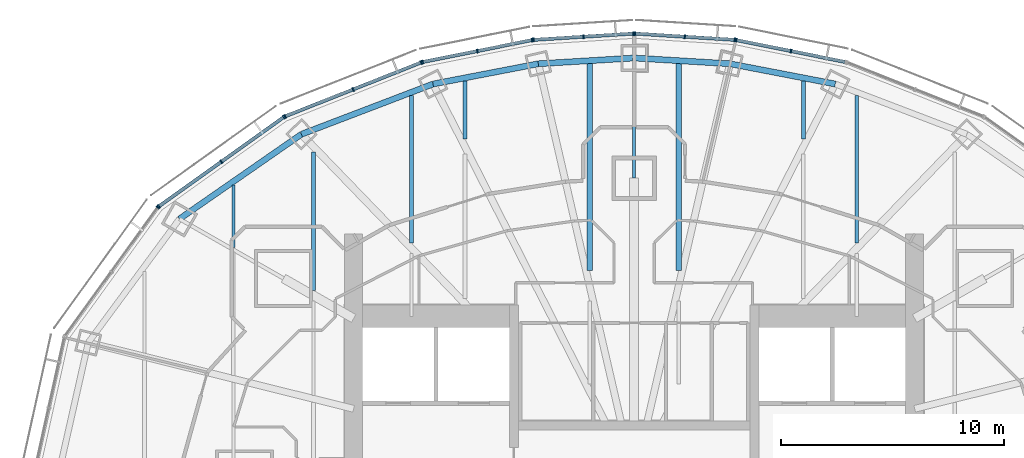
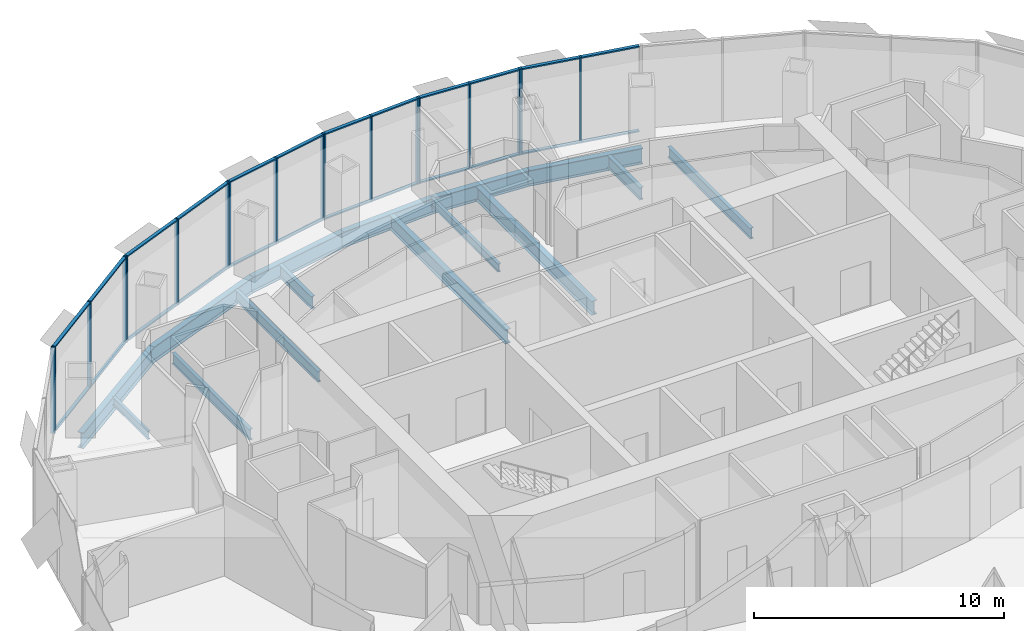
# One storey, part 8 of 18: 42 members, 15 beams, 7 elements without a shape of their own.
"""IFC4 building model written with IfcOpenShell, lengths in metres."""

from ifc_helpers import new_model, si_unit, direction, frame, origin, origin_2d, place, context, subcontext, project, spatial, rectangle, i_section, extrude, material, material_profile, profile_set, type_object, element, aggregate, save


model = new_model("IFC4")

# Units and contexts
model_context = context("Model", 3, precision=1e-05, world=origin(), true_north=direction((0.0, 1.0)))
body_context = subcontext(model_context, "Body", "Model", "MODEL_VIEW")
ifc_project = project(units=[si_unit("LENGTHUNIT", "METRE"), si_unit("AREAUNIT", "SQUARE_METRE"), si_unit("VOLUMEUNIT", "CUBIC_METRE"), si_unit("PLANEANGLEUNIT", "RADIAN"), si_unit("MASSUNIT", "GRAM", prefix="KILO")], contexts=[model_context])

# Site, building, storey
site_placement = place(None, origin())
site = spatial("IfcSite", under=ifc_project, at=site_placement, CompositionType="ELEMENT")
building_placement = place(site_placement, origin())
building = spatial("IfcBuilding", under=site, at=building_placement, Name="Lantaw Convention Tower", CompositionType="ELEMENT")
storey_placement = place(building_placement, frame((0.0, 0.0, 262.0)))
storey = spatial("IfcBuildingStorey", under=building, at=storey_placement, Name="L61", CompositionType="ELEMENT", Elevation=262.0)

# Beams
ifc_material_1 = material(Name="Steel ASTM A992", Category="steel")
ifc_material_profile_1 = material_profile(ifc_material_1, i_section(OverallWidth=0.2666015625, OverallDepth=0.76953125, WebThickness=0.015625, FlangeThickness=0.025390625, FilletRadius=0.0126953125, at=origin_2d()), Name="W30X132")
ifc_profile_set_1 = profile_set([ifc_material_profile_1], Name="Steel ASTM A992")
beam_type_1 = type_object("IfcBeamType", Name="Beam E W30X132", PredefinedType="SPANDREL", material=ifc_profile_set_1)
beam_1_placement = place(storey_placement, frame((9.03466796875, 17.7314453125, -0.534912109375), z_axis=(-0.981972091702, 0.189025953556, 0.0), x_axis=(-0.189025953556, -0.981972091702, 0.0)))
element("IfcBeam", 1, at=beam_1_placement, inside=storey, type_object=beam_type_1, Name="Edge beam 5", PredefinedType="SPANDREL", context=body_context, shape_type="SweptSolid", body=[
    extrude(i_section(OverallWidth=0.2666015625, OverallDepth=0.76953125, WebThickness=0.015625, FlangeThickness=0.025390625, FilletRadius=0.0126953125, at=origin_2d()), origin(), (0.0, 0.0, 1.0), 4.817626953125),
])
for number, where, z_axis, x_axis, name in (
    (2, (4.303955078125, 18.64208984375, -0.534912109375), (-0.998210730897, 0.059794119452, 0.0), (-0.059794119452, -0.998210730897, 0.0), "Edge beam 6"),
    (3, (0.0, 18.89990234375, -0.534912109375), (-0.998210730897, -0.059794119452, 0.0), (0.059794119452, -0.998210730897, 0.0), "Edge beam 7"),
):
    element("IfcBeam", number, at=place(storey_placement, frame(where, z_axis=z_axis, x_axis=x_axis)), inside=storey, type_object=beam_type_1, Name=name, PredefinedType="SPANDREL", context=body_context, shape_type="SweptSolid", body=[
        extrude(i_section(OverallWidth=0.2666015625, OverallDepth=0.76953125, WebThickness=0.015625, FlangeThickness=0.025390625, FilletRadius=0.0126953125, at=origin_2d()), origin(), (0.0, 0.0, 1.0), 4.311767578125),
    ])
beam_2_placement = place(storey_placement, frame((-4.303955078125, 18.64208984375, -0.534912109375), z_axis=(-0.981972091702, -0.189025953556, 0.0), x_axis=(0.189025953556, -0.981972091702, 0.0)))
element("IfcBeam", 4, at=beam_2_placement, inside=storey, type_object=beam_type_1, Name="Edge beam 8", PredefinedType="SPANDREL", context=body_context, shape_type="SweptSolid", body=[
    extrude(i_section(OverallWidth=0.2666015625, OverallDepth=0.76953125, WebThickness=0.015625, FlangeThickness=0.025390625, FilletRadius=0.0126953125, at=origin_2d()), origin(), (0.0, 0.0, 1.0), 4.817626953125),
])
beam_3_placement = place(storey_placement, frame((-9.03466796875, 17.7314453125, -0.534912109375), z_axis=(-0.934234988, -0.356658081637, 0.0), x_axis=(0.356658081637, -0.934234988, 0.0)))
element("IfcBeam", 5, at=beam_3_placement, inside=storey, type_object=beam_type_1, Name="Edge beam 9", PredefinedType="SPANDREL", context=body_context, shape_type="SweptSolid", body=[
    extrude(i_section(OverallWidth=0.2666015625, OverallDepth=0.76953125, WebThickness=0.015625, FlangeThickness=0.025390625, FilletRadius=0.0126953125, at=origin_2d()), origin(), (0.0, 0.0, 1.0), 6.32568359375),
])
beam_4_placement = place(storey_placement, frame((-14.9443359375, 15.475341796875, -0.534912109375), z_axis=(-0.82135329406, -0.570419815869, 0.0), x_axis=(0.570419815869, -0.82135329406, 0.0)))
element("IfcBeam", 6, at=beam_4_placement, inside=storey, type_object=beam_type_1, Name="Edge beam 10", PredefinedType="SPANDREL", context=body_context, shape_type="SweptSolid", body=[
    extrude(i_section(OverallWidth=0.2666015625, OverallDepth=0.76953125, WebThickness=0.015625, FlangeThickness=0.025390625, FilletRadius=0.0126953125, at=origin_2d()), origin(), (0.0, 0.0, 1.0), 6.67041015625),
])
ifc_material_profile_2 = material_profile(ifc_material_1, i_section(OverallWidth=0.140380859375, OverallDepth=0.40380859375, WebThickness=0.007080078125, FlangeThickness=0.01123046875, FilletRadius=0.01025390625, at=origin_2d()), Name="W16X31")
ifc_profile_set_2 = profile_set([ifc_material_profile_2], Name="Steel ASTM A992")
beam_type_2 = type_object("IfcBeamType", Name="Beam G W16X31", PredefinedType="BEAM", material=ifc_profile_set_2)
beam_5_placement = place(storey_placement, frame((0.0, 13.5, -0.35205078125), z_axis=(0.0, 1.0, 0.0), x_axis=(-1.0, 0.0, 0.0)))
element("IfcBeam", 7, at=beam_5_placement, inside=storey, type_object=beam_type_2, Name="Floor girder on ray 7", PredefinedType="BEAM", context=body_context, shape_type="SweptSolid", body=[
    extrude(i_section(OverallWidth=0.140380859375, OverallDepth=0.40380859375, WebThickness=0.007080078125, FlangeThickness=0.01123046875, FilletRadius=0.01025390625, at=origin_2d()), origin(), (0.0, 0.0, 1.0), 5.39990234375),
])
ifc_material_profile_3 = material_profile(ifc_material_1, i_section(OverallWidth=0.140380859375, OverallDepth=0.40380859375, WebThickness=0.007080078125, FlangeThickness=0.01123046875, FilletRadius=0.01025390625, at=origin_2d()), Name="W16X31")
ifc_profile_set_3 = profile_set([ifc_material_profile_3], Name="Steel ASTM A992")
beam_type_3 = type_object("IfcBeamType", Name="Beam J W16X31", PredefinedType="JOIST", material=ifc_profile_set_3)
beam_6_placement = place(storey_placement, frame((-18.0, 10.380859375, -0.35205078125), z_axis=(0.0, 1.0, 0.0), x_axis=(-1.0, 0.0, 0.0)))
element("IfcBeam", 8, at=beam_6_placement, inside=storey, type_object=beam_type_3, Name="Floor joist", PredefinedType="JOIST", context=body_context, shape_type="SweptSolid", body=[
    extrude(i_section(OverallWidth=0.140380859375, OverallDepth=0.40380859375, WebThickness=0.007080078125, FlangeThickness=0.01123046875, FilletRadius=0.01025390625, at=origin_2d()), origin(), (0.0, 0.0, 1.0), 2.81005859375),
])
ifc_material_profile_4 = material_profile(ifc_material_1, i_section(OverallWidth=0.1650390625, OverallDepth=0.52587890625, WebThickness=0.0087890625, FlangeThickness=0.011474609375, FilletRadius=0.0126953125, at=origin_2d()), Name="W21X44")
ifc_profile_set_4 = profile_set([ifc_material_profile_4], Name="Steel ASTM A992")
beam_type_4 = type_object("IfcBeamType", Name="Beam J W21X44", PredefinedType="JOIST", material=ifc_profile_set_4)
beam_7_placement = place(storey_placement, frame((-14.39990234375, 8.461181640625, -0.412841796875), z_axis=(0.0, 1.0, 0.0), x_axis=(-1.0, 0.0, 0.0)))
element("IfcBeam", 9, at=beam_7_placement, inside=storey, type_object=beam_type_4, Name="Floor joist", PredefinedType="JOIST", context=body_context, shape_type="SweptSolid", body=[
    extrude(i_section(OverallWidth=0.1650390625, OverallDepth=0.52587890625, WebThickness=0.0087890625, FlangeThickness=0.011474609375, FilletRadius=0.0126953125, at=origin_2d()), origin(), (0.0, 0.0, 1.0), 6.214599609375),
])
for number, where, z_axis, x_axis, name in (
    (10, (-10.0, 10.591064453125, -0.412841796875), (0.0, 1.0, 0.0), (-1.0, 0.0, 0.0), "Floor joist"),
    (11, (10.0, 10.591064453125, -0.412841796875), (0.0, 1.0, 0.0), (-1.0, 0.0, 0.0), "Floor joist"),
):
    element("IfcBeam", number, at=place(storey_placement, frame(where, z_axis=z_axis, x_axis=x_axis)), inside=storey, type_object=beam_type_4, Name=name, PredefinedType="JOIST", context=body_context, shape_type="SweptSolid", body=[
        extrude(i_section(OverallWidth=0.1650390625, OverallDepth=0.52587890625, WebThickness=0.0087890625, FlangeThickness=0.011474609375, FilletRadius=0.0126953125, at=origin_2d()), origin(), (0.0, 0.0, 1.0), 6.629150390625),
    ])
ifc_material_profile_5 = material_profile(ifc_material_1, i_section(OverallWidth=0.177978515625, OverallDepth=0.599365234375, WebThickness=0.010009765625, FlangeThickness=0.012939453125, FilletRadius=0.012939453125, at=origin_2d()), Name="W24X55")
ifc_profile_set_5 = profile_set([ifc_material_profile_5], Name="Steel ASTM A992")
beam_type_5 = type_object("IfcBeamType", Name="Beam J W24X55", PredefinedType="JOIST", material=ifc_profile_set_5)
for number, where, z_axis, x_axis, name in (
    (12, (-7.60009765625, 15.25439453125, -0.44970703125), (0.0, 1.0, 0.0), (-1.0, 0.0, 0.0), "Floor joist"),
    (13, (7.60009765625, 15.25439453125, -0.44970703125), (0.0, 1.0, 0.0), (-1.0, 0.0, 0.0), "Floor joist"),
):
    element("IfcBeam", number, at=place(storey_placement, frame(where, z_axis=z_axis, x_axis=x_axis)), inside=storey, type_object=beam_type_5, Name=name, PredefinedType="JOIST", context=body_context, shape_type="SweptSolid", body=[
        extrude(i_section(OverallWidth=0.177978515625, OverallDepth=0.599365234375, WebThickness=0.010009765625, FlangeThickness=0.012939453125, FilletRadius=0.012939453125, at=origin_2d()), origin(), (0.0, 0.0, 1.0), 2.617431640625),
    ])
ifc_material_profile_6 = material_profile(ifc_material_1, i_section(OverallWidth=0.25390625, OverallDepth=0.683349609375, WebThickness=0.012451171875, FlangeThickness=0.01904296875, FilletRadius=0.01513671875, at=origin_2d()), Name="W27X94")
ifc_profile_set_6 = profile_set([ifc_material_profile_6], Name="Steel ASTM A992")
beam_type_6 = type_object("IfcBeamType", Name="Beam J W27X94", PredefinedType="JOIST", material=ifc_profile_set_6)
for number, where, z_axis, x_axis, name in (
    (14, (-2.0, 9.34619140625, -0.49169921875), (0.0, 1.0, 0.0), (-1.0, 0.0, 0.0), "Floor joist"),
    (15, (2.0, 9.34619140625, -0.49169921875), (0.0, 1.0, 0.0), (-1.0, 0.0, 0.0), "Floor joist"),
):
    element("IfcBeam", number, at=place(storey_placement, frame(where, z_axis=z_axis, x_axis=x_axis)), inside=storey, type_object=beam_type_6, Name=name, PredefinedType="JOIST", context=body_context, shape_type="SweptSolid", body=[
        extrude(i_section(OverallWidth=0.25390625, OverallDepth=0.683349609375, WebThickness=0.012451171875, FlangeThickness=0.01904296875, FilletRadius=0.01513671875, at=origin_2d()), origin(), (0.0, 0.0, 1.0), 9.30029296875),
    ])

# Curtain wall, members
ifc_material_2 = material(Name="Aluminium framed curtain wall", Category="aluminium")
curtain_wall_type = type_object("IfcCurtainWallType", Name="Office curtain wall high rise, pale aluminium", PredefinedType="USERDEFINED", material=ifc_material_2)
curtain_wall_1_placement = place(storey_placement, origin())
curtain_wall_1 = element("IfcCurtainWall", 16, at=curtain_wall_1_placement, inside=storey, type_object=curtain_wall_type, Name="Office curtain wall high rise, pale aluminium L61", ObjectType="UNITISED CURTAIN WALL", PredefinedType="USERDEFINED")
ifc_material_3 = material(Name="Aluminium 6063-T6", Category="aluminium")
ifc_material_profile_7 = material_profile(ifc_material_3, rectangle(XDim=0.179931640625, YDim=0.06494140625, at=origin_2d()), Name="CW-O2 mullion 65x180")
ifc_profile_set_7 = profile_set([ifc_material_profile_7], Name="Aluminium 6063-T6")
member_type_1 = type_object("IfcMemberType", Name="CW-O2 mullion 65x180", PredefinedType="MULLION", material=ifc_profile_set_7)
member_1_placement = place(storey_placement, frame((7.042724609375, 19.212646484375, -0.14990234375), z_axis=(0.0, 0.0, 1.0), x_axis=(-0.197183095987, -0.980366679695, 0.0)))
member_1 = element("IfcMember", 17, at=member_1_placement, type_object=member_type_1, Name="CW-O2 mullion 2", PredefinedType="MULLION", context=body_context, shape_type="SweptSolid", body=[
    extrude(rectangle(XDim=0.179931640625, YDim=0.06494140625, at=origin_2d()), origin(), (0.0, 0.0, 1.0), 4.199951171875),
])
member_2_placement = place(storey_placement, frame((4.583251953125, 19.70751953125, -0.14990234375), z_axis=(0.0, 0.0, 1.0), x_axis=(-0.197183095987, -0.980366679695, 0.0)))
member_2 = element("IfcMember", 18, at=member_2_placement, type_object=member_type_1, Name="CW-O2 mullion 3", PredefinedType="MULLION", context=body_context, shape_type="SweptSolid", body=[
    extrude(rectangle(XDim=0.179931640625, YDim=0.06494140625, at=origin_2d()), origin(), (0.0, 0.0, 1.0), 4.199951171875),
])

curtain_wall_2_placement = place(storey_placement, origin())
curtain_wall_2 = element("IfcCurtainWall", 19, at=curtain_wall_2_placement, inside=storey, type_object=curtain_wall_type, Name="Office curtain wall high rise, pale aluminium L61", ObjectType="UNITISED CURTAIN WALL", PredefinedType="USERDEFINED")
member_3_placement = place(storey_placement, frame((4.518798828125, 19.7158203125, -0.14990234375), z_axis=(0.0, 0.0, 1.0), x_axis=(-0.062757983884, -0.998028774865, 0.0)))
member_3 = element("IfcMember", 20, at=member_3_placement, type_object=member_type_1, Name="CW-O2 mullion 1", PredefinedType="MULLION", context=body_context, shape_type="SweptSolid", body=[
    extrude(rectangle(XDim=0.179931640625, YDim=0.06494140625, at=origin_2d()), origin(), (0.0, 0.0, 1.0), 4.199951171875),
])
member_4_placement = place(storey_placement, frame((2.275634765625, 19.85693359375, -0.14990234375), z_axis=(0.0, 0.0, 1.0), x_axis=(-0.062757983884, -0.998028774865, 0.0)))
member_4 = element("IfcMember", 21, at=member_4_placement, type_object=member_type_1, Name="CW-O2 mullion 2", PredefinedType="MULLION", context=body_context, shape_type="SweptSolid", body=[
    extrude(rectangle(XDim=0.179931640625, YDim=0.06494140625, at=origin_2d()), origin(), (0.0, 0.0, 1.0), 4.199951171875),
])
member_5_placement = place(storey_placement, frame((0.032470703125, 19.998046875, -0.14990234375), z_axis=(0.0, 0.0, 1.0), x_axis=(-0.062757983884, -0.998028774865, 0.0)))
member_5 = element("IfcMember", 22, at=member_5_placement, type_object=member_type_1, Name="CW-O2 mullion 3", PredefinedType="MULLION", context=body_context, shape_type="SweptSolid", body=[
    extrude(rectangle(XDim=0.179931640625, YDim=0.06494140625, at=origin_2d()), origin(), (0.0, 0.0, 1.0), 4.199951171875),
])

curtain_wall_3_placement = place(storey_placement, origin())
curtain_wall_3 = element("IfcCurtainWall", 23, at=curtain_wall_3_placement, inside=storey, type_object=curtain_wall_type, Name="Office curtain wall high rise, pale aluminium L61", ObjectType="UNITISED CURTAIN WALL", PredefinedType="USERDEFINED")
member_6_placement = place(storey_placement, frame((-0.032470703125, 19.998046875, -0.14990234375), z_axis=(0.0, 0.0, 1.0), x_axis=(0.062757983884, -0.998028774865, 0.0)))
member_6 = element("IfcMember", 24, at=member_6_placement, type_object=member_type_1, Name="CW-O2 mullion 1", PredefinedType="MULLION", context=body_context, shape_type="SweptSolid", body=[
    extrude(rectangle(XDim=0.179931640625, YDim=0.06494140625, at=origin_2d()), origin(), (0.0, 0.0, 1.0), 4.199951171875),
])
member_7_placement = place(storey_placement, frame((-2.275634765625, 19.85693359375, -0.14990234375), z_axis=(0.0, 0.0, 1.0), x_axis=(0.062757983884, -0.998028774865, 0.0)))
member_7 = element("IfcMember", 25, at=member_7_placement, type_object=member_type_1, Name="CW-O2 mullion 2", PredefinedType="MULLION", context=body_context, shape_type="SweptSolid", body=[
    extrude(rectangle(XDim=0.179931640625, YDim=0.06494140625, at=origin_2d()), origin(), (0.0, 0.0, 1.0), 4.199951171875),
])
member_8_placement = place(storey_placement, frame((-4.518798828125, 19.7158203125, -0.14990234375), z_axis=(0.0, 0.0, 1.0), x_axis=(0.062757983884, -0.998028774865, 0.0)))
member_8 = element("IfcMember", 26, at=member_8_placement, type_object=member_type_1, Name="CW-O2 mullion 3", PredefinedType="MULLION", context=body_context, shape_type="SweptSolid", body=[
    extrude(rectangle(XDim=0.179931640625, YDim=0.06494140625, at=origin_2d()), origin(), (0.0, 0.0, 1.0), 4.199951171875),
])

curtain_wall_4_placement = place(storey_placement, origin())
curtain_wall_4 = element("IfcCurtainWall", 27, at=curtain_wall_4_placement, inside=storey, type_object=curtain_wall_type, Name="Office curtain wall high rise, pale aluminium L61", ObjectType="UNITISED CURTAIN WALL", PredefinedType="USERDEFINED")
member_9_placement = place(storey_placement, frame((-4.583251953125, 19.70751953125, -0.14990234375), z_axis=(0.0, 0.0, 1.0), x_axis=(0.197183095987, -0.980366679695, 0.0)))
member_9 = element("IfcMember", 28, at=member_9_placement, type_object=member_type_1, Name="CW-O2 mullion 1", PredefinedType="MULLION", context=body_context, shape_type="SweptSolid", body=[
    extrude(rectangle(XDim=0.179931640625, YDim=0.06494140625, at=origin_2d()), origin(), (0.0, 0.0, 1.0), 4.199951171875),
])
member_10_placement = place(storey_placement, frame((-7.042724609375, 19.212646484375, -0.14990234375), z_axis=(0.0, 0.0, 1.0), x_axis=(0.197183095987, -0.980366679695, 0.0)))
member_10 = element("IfcMember", 29, at=member_10_placement, type_object=member_type_1, Name="CW-O2 mullion 2", PredefinedType="MULLION", context=body_context, shape_type="SweptSolid", body=[
    extrude(rectangle(XDim=0.179931640625, YDim=0.06494140625, at=origin_2d()), origin(), (0.0, 0.0, 1.0), 4.199951171875),
])
member_11_placement = place(storey_placement, frame((-9.502197265625, 18.718017578125, -0.14990234375), z_axis=(0.0, 0.0, 1.0), x_axis=(0.197183095987, -0.980366679695, 0.0)))
member_11 = element("IfcMember", 30, at=member_11_placement, type_object=member_type_1, Name="CW-O2 mullion 3", PredefinedType="MULLION", context=body_context, shape_type="SweptSolid", body=[
    extrude(rectangle(XDim=0.179931640625, YDim=0.06494140625, at=origin_2d()), origin(), (0.0, 0.0, 1.0), 4.199951171875),
])

curtain_wall_5_placement = place(storey_placement, origin())
curtain_wall_5 = element("IfcCurtainWall", 31, at=curtain_wall_5_placement, inside=storey, type_object=curtain_wall_type, Name="Office curtain wall high rise, pale aluminium L61", ObjectType="UNITISED CURTAIN WALL", PredefinedType="USERDEFINED")
member_12_placement = place(storey_placement, frame((-9.564208984375, 18.69970703125, -0.14990234375), z_axis=(0.0, 0.0, 1.0), x_axis=(0.368162315252, -0.929761533743, 0.0)))
member_12 = element("IfcMember", 32, at=member_12_placement, type_object=member_type_1, Name="CW-O2 mullion 1", PredefinedType="MULLION", context=body_context, shape_type="SweptSolid", body=[
    extrude(rectangle(XDim=0.179931640625, YDim=0.06494140625, at=origin_2d()), origin(), (0.0, 0.0, 1.0), 4.199951171875),
])
member_13_placement = place(storey_placement, frame((-12.621337890625, 17.4892578125, -0.14990234375), z_axis=(0.0, 0.0, 1.0), x_axis=(0.368162315252, -0.929761533743, 0.0)))
member_13 = element("IfcMember", 33, at=member_13_placement, type_object=member_type_1, Name="CW-O2 mullion 2", PredefinedType="MULLION", context=body_context, shape_type="SweptSolid", body=[
    extrude(rectangle(XDim=0.179931640625, YDim=0.06494140625, at=origin_2d()), origin(), (0.0, 0.0, 1.0), 4.199951171875),
])
member_14_placement = place(storey_placement, frame((-15.67822265625, 16.278564453125, -0.14990234375), z_axis=(0.0, 0.0, 1.0), x_axis=(0.368162315252, -0.929761533743, 0.0)))
member_14 = element("IfcMember", 34, at=member_14_placement, type_object=member_type_1, Name="CW-O2 mullion 3", PredefinedType="MULLION", context=body_context, shape_type="SweptSolid", body=[
    extrude(rectangle(XDim=0.179931640625, YDim=0.06494140625, at=origin_2d()), origin(), (0.0, 0.0, 1.0), 4.199951171875),
])

curtain_wall_6_placement = place(storey_placement, origin())
curtain_wall_6 = element("IfcCurtainWall", 35, at=curtain_wall_6_placement, inside=storey, type_object=curtain_wall_type, Name="Office curtain wall high rise, pale aluminium L61", ObjectType="UNITISED CURTAIN WALL", PredefinedType="USERDEFINED")
member_15_placement = place(storey_placement, frame((-15.73486328125, 16.247802734375, -0.14990234375), z_axis=(0.0, 0.0, 1.0), x_axis=(0.581323487281, -0.813672540482, 0.0)))
member_15 = element("IfcMember", 36, at=member_15_placement, type_object=member_type_1, Name="CW-O2 mullion 1", PredefinedType="MULLION", context=body_context, shape_type="SweptSolid", body=[
    extrude(rectangle(XDim=0.179931640625, YDim=0.06494140625, at=origin_2d()), origin(), (0.0, 0.0, 1.0), 4.199951171875),
])
member_16_placement = place(storey_placement, frame((-18.543212890625, 14.241455078125, -0.14990234375), z_axis=(0.0, 0.0, 1.0), x_axis=(0.581323487281, -0.813672540482, 0.0)))
member_16 = element("IfcMember", 37, at=member_16_placement, type_object=member_type_1, Name="CW-O2 mullion 2", PredefinedType="MULLION", context=body_context, shape_type="SweptSolid", body=[
    extrude(rectangle(XDim=0.179931640625, YDim=0.06494140625, at=origin_2d()), origin(), (0.0, 0.0, 1.0), 4.199951171875),
])
member_17_placement = place(storey_placement, frame((-21.3515625, 12.23486328125, -0.14990234375), z_axis=(0.0, 0.0, 1.0), x_axis=(0.581323487281, -0.813672540482, 0.0)))
member_17 = element("IfcMember", 38, at=member_17_placement, type_object=member_type_1, Name="CW-O2 mullion 3", PredefinedType="MULLION", context=body_context, shape_type="SweptSolid", body=[
    extrude(rectangle(XDim=0.179931640625, YDim=0.06494140625, at=origin_2d()), origin(), (0.0, 0.0, 1.0), 4.199951171875),
])

# Curtain wall, member
curtain_wall_7_placement = place(storey_placement, origin())
curtain_wall_7 = element("IfcCurtainWall", 39, at=curtain_wall_7_placement, inside=storey, type_object=curtain_wall_type, Name="Office curtain wall high rise, pale aluminium L61", ObjectType="UNITISED CURTAIN WALL", PredefinedType="USERDEFINED")
member_18_placement = place(storey_placement, frame((-21.397216796875, 12.189697265625, -0.14990234375), z_axis=(0.0, 0.0, 1.0), x_axis=(0.810919559405, -0.585157643865, 0.0)))
member_18 = element("IfcMember", 40, at=member_18_placement, type_object=member_type_1, Name="CW-O2 mullion 1", PredefinedType="MULLION", context=body_context, shape_type="SweptSolid", body=[
    extrude(rectangle(XDim=0.179931640625, YDim=0.06494140625, at=origin_2d()), origin(), (0.0, 0.0, 1.0), 4.199951171875),
])
aggregate(curtain_wall_7, [member_18])

# Member
ifc_material_profile_8 = material_profile(ifc_material_3, rectangle(XDim=0.14990234375, YDim=0.06494140625, at=origin_2d()), Name="CW-O2 transom 65x150")
ifc_profile_set_8 = profile_set([ifc_material_profile_8], Name="Aluminium 6063-T6")
member_type_2 = type_object("IfcMemberType", Name="CW-O2 transom 65x150", PredefinedType="USERDEFINED", material=ifc_profile_set_8)
member_19_placement = place(storey_placement, frame((9.47021484375, 18.724365234375, -0.117431640625), z_axis=(-0.98036104319, 0.197211117829, 0.0), x_axis=(-0.197211117829, -0.98036104319, 0.0)))
member_19 = element("IfcMember", 41, at=member_19_placement, type_object=member_type_2, Name="CW-O2 transom 1.1", ObjectType="TRANSOM", PredefinedType="USERDEFINED", context=body_context, shape_type="SweptSolid", body=[
    extrude(rectangle(XDim=0.14990234375, YDim=0.06494140625, at=origin_2d()), origin(), (0.0, 0.0, 1.0), 2.44384765625),
])

member_20_placement = place(storey_placement, frame((9.47021484375, 18.724365234375, 4.017578125), z_axis=(-0.98036104319, 0.197211117829, 0.0), x_axis=(-0.197211117829, -0.98036104319, 0.0)))
member_20 = element("IfcMember", 42, at=member_20_placement, type_object=member_type_2, Name="CW-O2 transom 1.2", ObjectType="TRANSOM", PredefinedType="USERDEFINED", context=body_context, shape_type="SweptSolid", body=[
    extrude(rectangle(XDim=0.14990234375, YDim=0.06494140625, at=origin_2d()), origin(), (0.0, 0.0, 1.0), 2.44384765625),
])

member_21_placement = place(storey_placement, frame((7.0107421875, 19.21923828125, -0.117431640625), z_axis=(-0.980380354178, 0.197115096178, 0.0), x_axis=(-0.197115096178, -0.980380354178, 0.0)))
member_21 = element("IfcMember", 43, at=member_21_placement, type_object=member_type_2, Name="CW-O2 transom 2.1", ObjectType="TRANSOM", PredefinedType="USERDEFINED", context=body_context, shape_type="SweptSolid", body=[
    extrude(rectangle(XDim=0.14990234375, YDim=0.06494140625, at=origin_2d()), origin(), (0.0, 0.0, 1.0), 2.443603515625),
])

member_22_placement = place(storey_placement, frame((7.0107421875, 19.21923828125, 4.017578125), z_axis=(-0.980380354178, 0.197115096178, 0.0), x_axis=(-0.197115096178, -0.980380354178, 0.0)))
member_22 = element("IfcMember", 44, at=member_22_placement, type_object=member_type_2, Name="CW-O2 transom 2.2", ObjectType="TRANSOM", PredefinedType="USERDEFINED", context=body_context, shape_type="SweptSolid", body=[
    extrude(rectangle(XDim=0.14990234375, YDim=0.06494140625, at=origin_2d()), origin(), (0.0, 0.0, 1.0), 2.443603515625),
])

aggregate(curtain_wall_1, [member_1, member_2, member_19, member_20, member_21, member_22])

member_23_placement = place(storey_placement, frame((4.486328125, 19.7177734375, -0.117431640625), z_axis=(-0.998021991509, 0.062865765437, 0.0), x_axis=(-0.062865765437, -0.998021991509, 0.0)))
member_23 = element("IfcMember", 45, at=member_23_placement, type_object=member_type_2, Name="CW-O2 transom 1.1", ObjectType="TRANSOM", PredefinedType="USERDEFINED", context=body_context, shape_type="SweptSolid", body=[
    extrude(rectangle(XDim=0.14990234375, YDim=0.06494140625, at=origin_2d()), origin(), (0.0, 0.0, 1.0), 2.1826171875),
])

member_24_placement = place(storey_placement, frame((4.486328125, 19.7177734375, 4.017578125), z_axis=(-0.998021991509, 0.062865765437, 0.0), x_axis=(-0.062865765437, -0.998021991509, 0.0)))
member_24 = element("IfcMember", 46, at=member_24_placement, type_object=member_type_2, Name="CW-O2 transom 1.2", ObjectType="TRANSOM", PredefinedType="USERDEFINED", context=body_context, shape_type="SweptSolid", body=[
    extrude(rectangle(XDim=0.14990234375, YDim=0.06494140625, at=origin_2d()), origin(), (0.0, 0.0, 1.0), 2.1826171875),
])

member_25_placement = place(storey_placement, frame((2.2431640625, 19.85888671875, -0.117431640625), z_axis=(-0.998029003644, 0.062754345555, 0.0), x_axis=(-0.062754345555, -0.998029003644, 0.0)))
member_25 = element("IfcMember", 47, at=member_25_placement, type_object=member_type_2, Name="CW-O2 transom 2.1", ObjectType="TRANSOM", PredefinedType="USERDEFINED", context=body_context, shape_type="SweptSolid", body=[
    extrude(rectangle(XDim=0.14990234375, YDim=0.06494140625, at=origin_2d()), origin(), (0.0, 0.0, 1.0), 2.1826171875),
])

member_26_placement = place(storey_placement, frame((2.2431640625, 19.85888671875, 4.017578125), z_axis=(-0.998029003644, 0.062754345555, 0.0), x_axis=(-0.062754345555, -0.998029003644, 0.0)))
member_26 = element("IfcMember", 48, at=member_26_placement, type_object=member_type_2, Name="CW-O2 transom 2.2", ObjectType="TRANSOM", PredefinedType="USERDEFINED", context=body_context, shape_type="SweptSolid", body=[
    extrude(rectangle(XDim=0.14990234375, YDim=0.06494140625, at=origin_2d()), origin(), (0.0, 0.0, 1.0), 2.1826171875),
])

aggregate(curtain_wall_2, [member_3, member_4, member_5, member_23, member_24, member_25, member_26])

member_27_placement = place(storey_placement, frame((-0.06494140625, 19.995849609375, -0.117431640625), z_axis=(-0.998029003644, -0.062754345555, 0.0), x_axis=(0.062754345555, -0.998029003644, 0.0)))
member_27 = element("IfcMember", 49, at=member_27_placement, type_object=member_type_2, Name="CW-O2 transom 1.1", ObjectType="TRANSOM", PredefinedType="USERDEFINED", context=body_context, shape_type="SweptSolid", body=[
    extrude(rectangle(XDim=0.14990234375, YDim=0.06494140625, at=origin_2d()), origin(), (0.0, 0.0, 1.0), 2.1826171875),
])

member_28_placement = place(storey_placement, frame((-0.06494140625, 19.995849609375, 4.017578125), z_axis=(-0.998029003644, -0.062754345555, 0.0), x_axis=(0.062754345555, -0.998029003644, 0.0)))
member_28 = element("IfcMember", 50, at=member_28_placement, type_object=member_type_2, Name="CW-O2 transom 1.2", ObjectType="TRANSOM", PredefinedType="USERDEFINED", context=body_context, shape_type="SweptSolid", body=[
    extrude(rectangle(XDim=0.14990234375, YDim=0.06494140625, at=origin_2d()), origin(), (0.0, 0.0, 1.0), 2.1826171875),
])

member_29_placement = place(storey_placement, frame((-2.30810546875, 19.85498046875, -0.117431640625), z_axis=(-0.998021991509, -0.062865765437, 0.0), x_axis=(0.062865765437, -0.998021991509, 0.0)))
member_29 = element("IfcMember", 51, at=member_29_placement, type_object=member_type_2, Name="CW-O2 transom 2.1", ObjectType="TRANSOM", PredefinedType="USERDEFINED", context=body_context, shape_type="SweptSolid", body=[
    extrude(rectangle(XDim=0.14990234375, YDim=0.06494140625, at=origin_2d()), origin(), (0.0, 0.0, 1.0), 2.1826171875),
])

member_30_placement = place(storey_placement, frame((-2.30810546875, 19.85498046875, 4.017578125), z_axis=(-0.998021991509, -0.062865765437, 0.0), x_axis=(0.062865765437, -0.998021991509, 0.0)))
member_30 = element("IfcMember", 52, at=member_30_placement, type_object=member_type_2, Name="CW-O2 transom 2.2", ObjectType="TRANSOM", PredefinedType="USERDEFINED", context=body_context, shape_type="SweptSolid", body=[
    extrude(rectangle(XDim=0.14990234375, YDim=0.06494140625, at=origin_2d()), origin(), (0.0, 0.0, 1.0), 2.1826171875),
])

aggregate(curtain_wall_3, [member_6, member_7, member_8, member_27, member_28, member_29, member_30])

member_31_placement = place(storey_placement, frame((-4.614990234375, 19.700927734375, -0.117431640625), z_axis=(-0.980380354178, -0.197115096178, 0.0), x_axis=(0.197115096178, -0.980380354178, 0.0)))
member_31 = element("IfcMember", 53, at=member_31_placement, type_object=member_type_2, Name="CW-O2 transom 1.1", ObjectType="TRANSOM", PredefinedType="USERDEFINED", context=body_context, shape_type="SweptSolid", body=[
    extrude(rectangle(XDim=0.14990234375, YDim=0.06494140625, at=origin_2d()), origin(), (0.0, 0.0, 1.0), 2.443603515625),
])

member_32_placement = place(storey_placement, frame((-4.614990234375, 19.700927734375, 4.017578125), z_axis=(-0.980380354178, -0.197115096178, 0.0), x_axis=(0.197115096178, -0.980380354178, 0.0)))
member_32 = element("IfcMember", 54, at=member_32_placement, type_object=member_type_2, Name="CW-O2 transom 1.2", ObjectType="TRANSOM", PredefinedType="USERDEFINED", context=body_context, shape_type="SweptSolid", body=[
    extrude(rectangle(XDim=0.14990234375, YDim=0.06494140625, at=origin_2d()), origin(), (0.0, 0.0, 1.0), 2.443603515625),
])

member_33_placement = place(storey_placement, frame((-7.074462890625, 19.206298828125, -0.117431640625), z_axis=(-0.98036104319, -0.197211117829, 0.0), x_axis=(0.197211117829, -0.98036104319, 0.0)))
member_33 = element("IfcMember", 55, at=member_33_placement, type_object=member_type_2, Name="CW-O2 transom 2.1", ObjectType="TRANSOM", PredefinedType="USERDEFINED", context=body_context, shape_type="SweptSolid", body=[
    extrude(rectangle(XDim=0.14990234375, YDim=0.06494140625, at=origin_2d()), origin(), (0.0, 0.0, 1.0), 2.44384765625),
])

member_34_placement = place(storey_placement, frame((-7.074462890625, 19.206298828125, 4.017578125), z_axis=(-0.98036104319, -0.197211117829, 0.0), x_axis=(0.197211117829, -0.98036104319, 0.0)))
member_34 = element("IfcMember", 56, at=member_34_placement, type_object=member_type_2, Name="CW-O2 transom 2.2", ObjectType="TRANSOM", PredefinedType="USERDEFINED", context=body_context, shape_type="SweptSolid", body=[
    extrude(rectangle(XDim=0.14990234375, YDim=0.06494140625, at=origin_2d()), origin(), (0.0, 0.0, 1.0), 2.44384765625),
])

aggregate(curtain_wall_4, [member_9, member_10, member_11, member_31, member_32, member_33, member_34])

member_35_placement = place(storey_placement, frame((-9.594482421875, 18.687744140625, -0.117431640625), z_axis=(-0.929766642946, -0.368149412149, 0.0), x_axis=(0.368149412149, -0.929766642946, 0.0)))
member_35 = element("IfcMember", 57, at=member_35_placement, type_object=member_type_2, Name="CW-O2 transom 1.1", ObjectType="TRANSOM", PredefinedType="USERDEFINED", context=body_context, shape_type="SweptSolid", body=[
    extrude(rectangle(XDim=0.14990234375, YDim=0.06494140625, at=origin_2d()), origin(), (0.0, 0.0, 1.0), 3.222900390625),
])

member_36_placement = place(storey_placement, frame((-9.594482421875, 18.687744140625, 4.017578125), z_axis=(-0.929766642946, -0.368149412149, 0.0), x_axis=(0.368149412149, -0.929766642946, 0.0)))
member_36 = element("IfcMember", 58, at=member_36_placement, type_object=member_type_2, Name="CW-O2 transom 1.2", ObjectType="TRANSOM", PredefinedType="USERDEFINED", context=body_context, shape_type="SweptSolid", body=[
    extrude(rectangle(XDim=0.14990234375, YDim=0.06494140625, at=origin_2d()), origin(), (0.0, 0.0, 1.0), 3.222900390625),
])

member_37_placement = place(storey_placement, frame((-12.651611328125, 17.477294921875, -0.117431640625), z_axis=(-0.929740712354, -0.368214893495, 0.0), x_axis=(0.368214893495, -0.929740712354, 0.0)))
member_37 = element("IfcMember", 59, at=member_37_placement, type_object=member_type_2, Name="CW-O2 transom 2.1", ObjectType="TRANSOM", PredefinedType="USERDEFINED", context=body_context, shape_type="SweptSolid", body=[
    extrude(rectangle(XDim=0.14990234375, YDim=0.06494140625, at=origin_2d()), origin(), (0.0, 0.0, 1.0), 3.22314453125),
])

member_38_placement = place(storey_placement, frame((-12.651611328125, 17.477294921875, 4.017578125), z_axis=(-0.929740712354, -0.368214893495, 0.0), x_axis=(0.368214893495, -0.929740712354, 0.0)))
member_38 = element("IfcMember", 60, at=member_38_placement, type_object=member_type_2, Name="CW-O2 transom 2.2", ObjectType="TRANSOM", PredefinedType="USERDEFINED", context=body_context, shape_type="SweptSolid", body=[
    extrude(rectangle(XDim=0.14990234375, YDim=0.06494140625, at=origin_2d()), origin(), (0.0, 0.0, 1.0), 3.22314453125),
])

aggregate(curtain_wall_5, [member_12, member_13, member_14, member_35, member_36, member_37, member_38])

member_39_placement = place(storey_placement, frame((-15.761474609375, 16.22900390625, -0.117431640625), z_axis=(-0.813645780821, -0.581360940683, 0.0), x_axis=(0.581360940683, -0.813645780821, 0.0)))
member_39 = element("IfcMember", 61, at=member_39_placement, type_object=member_type_2, Name="CW-O2 transom 1.1", ObjectType="TRANSOM", PredefinedType="USERDEFINED", context=body_context, shape_type="SweptSolid", body=[
    extrude(rectangle(XDim=0.14990234375, YDim=0.06494140625, at=origin_2d()), origin(), (0.0, 0.0, 1.0), 3.386474609375),
])

member_40_placement = place(storey_placement, frame((-15.761474609375, 16.22900390625, 4.017578125), z_axis=(-0.813645780821, -0.581360940683, 0.0), x_axis=(0.581360940683, -0.813645780821, 0.0)))
member_40 = element("IfcMember", 62, at=member_40_placement, type_object=member_type_2, Name="CW-O2 transom 1.2", ObjectType="TRANSOM", PredefinedType="USERDEFINED", context=body_context, shape_type="SweptSolid", body=[
    extrude(rectangle(XDim=0.14990234375, YDim=0.06494140625, at=origin_2d()), origin(), (0.0, 0.0, 1.0), 3.386474609375),
])

member_41_placement = place(storey_placement, frame((-18.56982421875, 14.222412109375, -0.117431640625), z_axis=(-0.813679882592, -0.581313210468, 0.0), x_axis=(0.581313210468, -0.813679882592, 0.0)))
member_41 = element("IfcMember", 63, at=member_41_placement, type_object=member_type_2, Name="CW-O2 transom 2.1", ObjectType="TRANSOM", PredefinedType="USERDEFINED", context=body_context, shape_type="SweptSolid", body=[
    extrude(rectangle(XDim=0.14990234375, YDim=0.06494140625, at=origin_2d()), origin(), (0.0, 0.0, 1.0), 3.38623046875),
])

member_42_placement = place(storey_placement, frame((-18.56982421875, 14.222412109375, 4.017578125), z_axis=(-0.813679882592, -0.581313210468, 0.0), x_axis=(0.581313210468, -0.813679882592, 0.0)))
member_42 = element("IfcMember", 64, at=member_42_placement, type_object=member_type_2, Name="CW-O2 transom 2.2", ObjectType="TRANSOM", PredefinedType="USERDEFINED", context=body_context, shape_type="SweptSolid", body=[
    extrude(rectangle(XDim=0.14990234375, YDim=0.06494140625, at=origin_2d()), origin(), (0.0, 0.0, 1.0), 3.38623046875),
])

aggregate(curtain_wall_6, [member_15, member_16, member_17, member_39, member_40, member_41, member_42])

save(model, "model.ifc")
